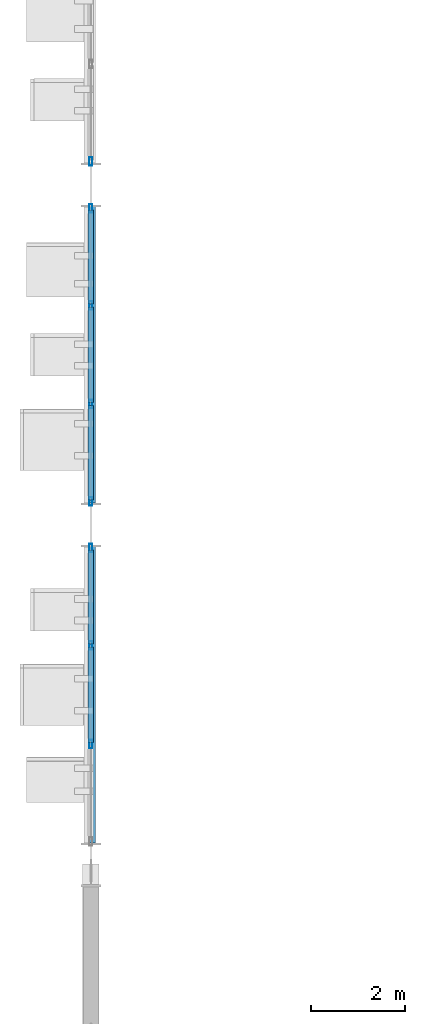
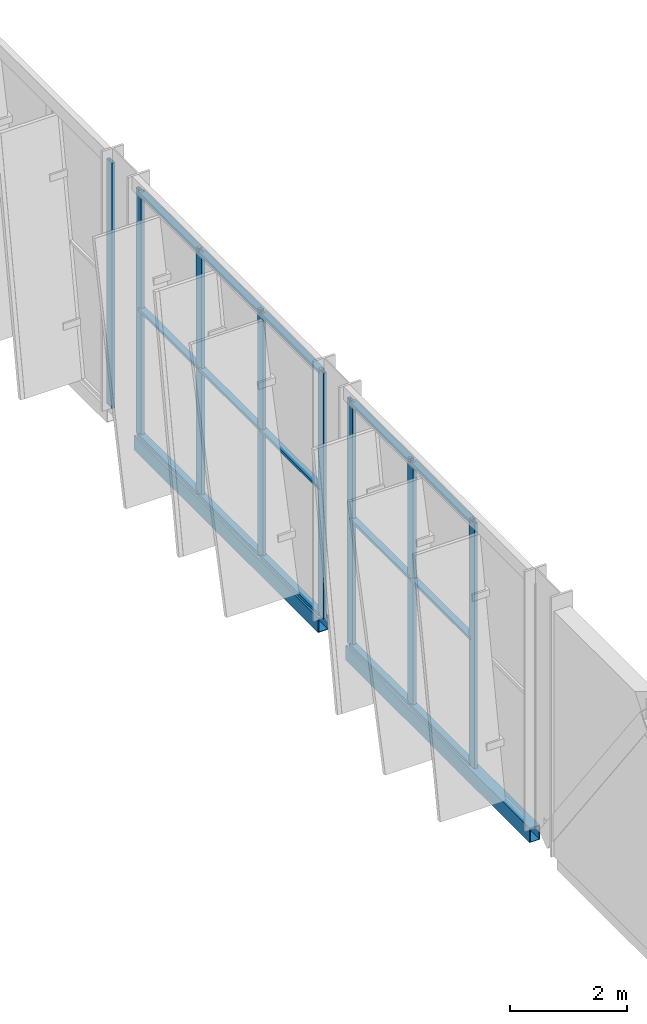
# One storey, part 22 of 189: 23 members, 2 beams, 3 elements without a shape of their own.
"""IFC4 building model written with IfcOpenShell, lengths in metres."""

from ifc_helpers import new_model, si_unit, direction, frame, origin, origin_2d, place, context, subcontext, project, spatial, hollow_rectangle, extrude, material, layer, layer_set, material_profile, profile_set, type_object, element, aggregate, save


model = new_model("IFC4")

# Units and contexts
model_context = context("Model", 3, precision=1e-05, world=origin(), true_north=direction((0.0, 1.0)))
body_context = subcontext(model_context, "Body", "Model", "MODEL_VIEW")
ifc_project = project(units=[si_unit("LENGTHUNIT", "METRE"), si_unit("AREAUNIT", "SQUARE_METRE"), si_unit("VOLUMEUNIT", "CUBIC_METRE"), si_unit("PLANEANGLEUNIT", "RADIAN"), si_unit("MASSUNIT", "GRAM", prefix="KILO")], contexts=[model_context])

# Site, building, storey
site_placement = place(None, origin())
site = spatial("IfcSite", under=ifc_project, at=site_placement, CompositionType="ELEMENT")
building_placement = place(site_placement, origin())
building = spatial("IfcBuilding", under=site, at=building_placement, Name="Celestram Park Convention Centre", CompositionType="ELEMENT")
storey_placement = place(building_placement, frame((0.0, 0.0, 5.39990234375)))
storey = spatial("IfcBuildingStorey", under=building, at=storey_placement, Name="L01", CompositionType="ELEMENT", Elevation=5.39990234375)

# Curtain wall, members
ifc_material_1 = material(Name="Anodised Aluminium Alloy 6063-T6", Category="aluminium")
ifc_layer = layer(ifc_material_1, 0.179931640625)
ifc_layer_set = layer_set([ifc_layer], Name="Anodised Aluminium Alloy 6063-T6")
curtain_wall_type = type_object("IfcCurtainWallType", Name="ARC-CW-627X510", PredefinedType="NOTDEFINED", material=ifc_layer_set)
curtain_wall_1_placement = place(storey_placement, origin())
curtain_wall_1 = element("IfcCurtainWall", 1, at=curtain_wall_1_placement, inside=storey, type_object=curtain_wall_type, Name="Unitised curtain wall CU-L01-113", PredefinedType="NOTDEFINED")
ifc_material_profile_1 = material_profile(ifc_material_1, hollow_rectangle(XDim=0.06494140625, YDim=0.179931640625, WallThickness=0.00390625, at=origin_2d()), Name="ALU65X180X4")
ifc_profile_set_1 = profile_set([ifc_material_profile_1], Name="Anodised Aluminium Alloy 6063-T6")
member_type_1 = type_object("IfcMemberType", Name="ARC-CWM-150", PredefinedType="MULLION", material=ifc_profile_set_1)
member_1_placement = place(storey_placement, frame((0.0, 31.354736328125, 0.0), z_axis=(0.0, 0.0, 1.0), x_axis=(-1.0, 0.0, 0.0)))
member_1 = element("IfcMember", 2, at=member_1_placement, type_object=member_type_1, Name="CW-62X51 mullion 2", PredefinedType="MULLION", context=body_context, shape_type="SweptSolid", body=[
    extrude(hollow_rectangle(XDim=0.06494140625, YDim=0.179931640625, WallThickness=0.00390625, at=origin_2d()), origin(), (0.0, 0.0, 1.0), 5.10009765625),
])
member_2_placement = place(storey_placement, frame((0.0, 33.4453125, 0.0), z_axis=(0.0, 0.0, 1.0), x_axis=(-1.0, 0.0, 0.0)))
member_2 = element("IfcMember", 3, at=member_2_placement, type_object=member_type_1, Name="CW-62X51 mullion 3", PredefinedType="MULLION", context=body_context, shape_type="SweptSolid", body=[
    extrude(hollow_rectangle(XDim=0.06494140625, YDim=0.179931640625, WallThickness=0.00390625, at=origin_2d()), origin(), (0.0, 0.0, 1.0), 5.10009765625),
])
member_3_placement = place(storey_placement, frame((0.0, 35.50341796875, 0.0), z_axis=(0.0, 0.0, 1.0), x_axis=(-1.0, 0.0, 0.0)))
member_3 = element("IfcMember", 4, at=member_3_placement, type_object=member_type_1, Name="CW-62X51 mullion 4", PredefinedType="MULLION", context=body_context, shape_type="SweptSolid", body=[
    extrude(hollow_rectangle(XDim=0.06494140625, YDim=0.179931640625, WallThickness=0.00390625, at=origin_2d()), origin(), (0.0, 0.0, 1.0), 5.10009765625),
])

curtain_wall_2_placement = place(storey_placement, origin())
curtain_wall_2 = element("IfcCurtainWall", 5, at=curtain_wall_2_placement, inside=storey, type_object=curtain_wall_type, Name="Unitised curtain wall CU-L01-114", PredefinedType="NOTDEFINED")
member_4_placement = place(storey_placement, frame((0.0, 36.49658203125, 0.0), z_axis=(0.0, 0.0, 1.0), x_axis=(-1.0, 0.0, 0.0)))
member_4 = element("IfcMember", 6, at=member_4_placement, type_object=member_type_1, Name="CW-62X51 mullion 1", PredefinedType="MULLION", context=body_context, shape_type="SweptSolid", body=[
    extrude(hollow_rectangle(XDim=0.06494140625, YDim=0.179931640625, WallThickness=0.00390625, at=origin_2d()), origin(), (0.0, 0.0, 1.0), 5.10009765625),
])
member_5_placement = place(storey_placement, frame((0.0, 38.5546875, 0.0), z_axis=(0.0, 0.0, 1.0), x_axis=(-1.0, 0.0, 0.0)))
member_5 = element("IfcMember", 7, at=member_5_placement, type_object=member_type_1, Name="CW-62X51 mullion 2", PredefinedType="MULLION", context=body_context, shape_type="SweptSolid", body=[
    extrude(hollow_rectangle(XDim=0.06494140625, YDim=0.179931640625, WallThickness=0.00390625, at=origin_2d()), origin(), (0.0, 0.0, 1.0), 5.10009765625),
])
member_6_placement = place(storey_placement, frame((0.0, 40.645263671875, 0.0), z_axis=(0.0, 0.0, 1.0), x_axis=(-1.0, 0.0, 0.0)))
member_6 = element("IfcMember", 8, at=member_6_placement, type_object=member_type_1, Name="CW-62X51 mullion 3", PredefinedType="MULLION", context=body_context, shape_type="SweptSolid", body=[
    extrude(hollow_rectangle(XDim=0.06494140625, YDim=0.179931640625, WallThickness=0.00390625, at=origin_2d()), origin(), (0.0, 0.0, 1.0), 5.10009765625),
])
member_7_placement = place(storey_placement, frame((0.0, 42.70361328125, 0.0), z_axis=(0.0, 0.0, 1.0), x_axis=(-1.0, 0.0, 0.0)))
member_7 = element("IfcMember", 9, at=member_7_placement, type_object=member_type_1, Name="CW-62X51 mullion 4", PredefinedType="MULLION", context=body_context, shape_type="SweptSolid", body=[
    extrude(hollow_rectangle(XDim=0.06494140625, YDim=0.179931640625, WallThickness=0.00390625, at=origin_2d()), origin(), (0.0, 0.0, 1.0), 5.10009765625),
])

# Curtain wall, member
curtain_wall_3_placement = place(storey_placement, origin())
curtain_wall_3 = element("IfcCurtainWall", 10, at=curtain_wall_3_placement, inside=storey, type_object=curtain_wall_type, Name="Unitised curtain wall CU-L01-115", PredefinedType="NOTDEFINED")
member_8_placement = place(storey_placement, frame((0.0, 43.696533203125, 0.0), z_axis=(0.0, 0.0, 1.0), x_axis=(-1.0, 0.0, 0.0)))
member_8 = element("IfcMember", 11, at=member_8_placement, type_object=member_type_1, Name="CW-62X51 mullion 1", PredefinedType="MULLION", context=body_context, shape_type="SweptSolid", body=[
    extrude(hollow_rectangle(XDim=0.06494140625, YDim=0.179931640625, WallThickness=0.00390625, at=origin_2d()), origin(), (0.0, 0.0, 1.0), 5.10009765625),
])
aggregate(curtain_wall_3, [member_8])

# Member
ifc_material_profile_2 = material_profile(ifc_material_1, hollow_rectangle(XDim=0.1201171875, YDim=0.06005859375, WallThickness=0.0029296875, at=origin_2d()), Name="ALU120X60X3")
ifc_profile_set_2 = profile_set([ifc_material_profile_2], Name="Anodised Aluminium Alloy 6063-T6")
member_type_2 = type_object("IfcMemberType", Name="ARC-CWT-120", PredefinedType="USERDEFINED", material=ifc_profile_set_2)
member_9_placement = place(storey_placement, frame((0.0, 31.38720703125, 0.030029296875), z_axis=(0.0, 1.0, 0.0), x_axis=(-1.0, 0.0, 0.0)))
member_9 = element("IfcMember", 12, at=member_9_placement, type_object=member_type_2, Name="CW-62X51 transom 2.1", ObjectType="TRANSOM", PredefinedType="USERDEFINED", context=body_context, shape_type="SweptSolid", body=[
    extrude(hollow_rectangle(XDim=0.1201171875, YDim=0.06005859375, WallThickness=0.0029296875, at=origin_2d()), origin(), (0.0, 0.0, 1.0), 2.025634765625),
])

member_10_placement = place(storey_placement, frame((0.0, 31.38720703125, 2.650146484375), z_axis=(0.0, 1.0, 0.0), x_axis=(-1.0, 0.0, 0.0)))
member_10 = element("IfcMember", 13, at=member_10_placement, type_object=member_type_2, Name="CW-62X51 transom 2.2", ObjectType="TRANSOM", PredefinedType="USERDEFINED", context=body_context, shape_type="SweptSolid", body=[
    extrude(hollow_rectangle(XDim=0.1201171875, YDim=0.06005859375, WallThickness=0.0029296875, at=origin_2d()), origin(), (0.0, 0.0, 1.0), 2.025634765625),
])

member_11_placement = place(storey_placement, frame((0.0, 31.38720703125, 5.070068359375), z_axis=(0.0, 1.0, 0.0), x_axis=(-1.0, 0.0, 0.0)))
member_11 = element("IfcMember", 14, at=member_11_placement, type_object=member_type_2, Name="CW-62X51 transom 2.3", ObjectType="TRANSOM", PredefinedType="USERDEFINED", context=body_context, shape_type="SweptSolid", body=[
    extrude(hollow_rectangle(XDim=0.1201171875, YDim=0.06005859375, WallThickness=0.0029296875, at=origin_2d()), origin(), (0.0, 0.0, 1.0), 2.025634765625),
])

member_12_placement = place(storey_placement, frame((0.0, 33.477783203125, 0.030029296875), z_axis=(0.0, 1.0, 0.0), x_axis=(-1.0, 0.0, 0.0)))
member_12 = element("IfcMember", 15, at=member_12_placement, type_object=member_type_2, Name="CW-62X51 transom 3.1", ObjectType="TRANSOM", PredefinedType="USERDEFINED", context=body_context, shape_type="SweptSolid", body=[
    extrude(hollow_rectangle(XDim=0.1201171875, YDim=0.06005859375, WallThickness=0.0029296875, at=origin_2d()), origin(), (0.0, 0.0, 1.0), 1.9931640625),
])

member_13_placement = place(storey_placement, frame((0.0, 33.477783203125, 2.650146484375), z_axis=(0.0, 1.0, 0.0), x_axis=(-1.0, 0.0, 0.0)))
member_13 = element("IfcMember", 16, at=member_13_placement, type_object=member_type_2, Name="CW-62X51 transom 3.2", ObjectType="TRANSOM", PredefinedType="USERDEFINED", context=body_context, shape_type="SweptSolid", body=[
    extrude(hollow_rectangle(XDim=0.1201171875, YDim=0.06005859375, WallThickness=0.0029296875, at=origin_2d()), origin(), (0.0, 0.0, 1.0), 1.9931640625),
])

member_14_placement = place(storey_placement, frame((0.0, 33.477783203125, 5.070068359375), z_axis=(0.0, 1.0, 0.0), x_axis=(-1.0, 0.0, 0.0)))
member_14 = element("IfcMember", 17, at=member_14_placement, type_object=member_type_2, Name="CW-62X51 transom 3.3", ObjectType="TRANSOM", PredefinedType="USERDEFINED", context=body_context, shape_type="SweptSolid", body=[
    extrude(hollow_rectangle(XDim=0.1201171875, YDim=0.06005859375, WallThickness=0.0029296875, at=origin_2d()), origin(), (0.0, 0.0, 1.0), 1.9931640625),
])

aggregate(curtain_wall_1, [member_1, member_2, member_3, member_9, member_10, member_11, member_12, member_13, member_14])

member_15_placement = place(storey_placement, frame((0.0, 36.529052734375, 0.030029296875), z_axis=(0.0, 1.0, 0.0), x_axis=(-1.0, 0.0, 0.0)))
member_15 = element("IfcMember", 18, at=member_15_placement, type_object=member_type_2, Name="CW-62X51 transom 1.1", ObjectType="TRANSOM", PredefinedType="USERDEFINED", context=body_context, shape_type="SweptSolid", body=[
    extrude(hollow_rectangle(XDim=0.1201171875, YDim=0.06005859375, WallThickness=0.0029296875, at=origin_2d()), origin(), (0.0, 0.0, 1.0), 1.9931640625),
])

member_16_placement = place(storey_placement, frame((0.0, 36.529052734375, 2.650146484375), z_axis=(0.0, 1.0, 0.0), x_axis=(-1.0, 0.0, 0.0)))
member_16 = element("IfcMember", 19, at=member_16_placement, type_object=member_type_2, Name="CW-62X51 transom 1.2", ObjectType="TRANSOM", PredefinedType="USERDEFINED", context=body_context, shape_type="SweptSolid", body=[
    extrude(hollow_rectangle(XDim=0.1201171875, YDim=0.06005859375, WallThickness=0.0029296875, at=origin_2d()), origin(), (0.0, 0.0, 1.0), 1.9931640625),
])

member_17_placement = place(storey_placement, frame((0.0, 36.529052734375, 5.070068359375), z_axis=(0.0, 1.0, 0.0), x_axis=(-1.0, 0.0, 0.0)))
member_17 = element("IfcMember", 20, at=member_17_placement, type_object=member_type_2, Name="CW-62X51 transom 1.3", ObjectType="TRANSOM", PredefinedType="USERDEFINED", context=body_context, shape_type="SweptSolid", body=[
    extrude(hollow_rectangle(XDim=0.1201171875, YDim=0.06005859375, WallThickness=0.0029296875, at=origin_2d()), origin(), (0.0, 0.0, 1.0), 1.9931640625),
])

member_18_placement = place(storey_placement, frame((0.0, 38.587158203125, 0.030029296875), z_axis=(0.0, 1.0, 0.0), x_axis=(-1.0, 0.0, 0.0)))
member_18 = element("IfcMember", 21, at=member_18_placement, type_object=member_type_2, Name="CW-62X51 transom 2.1", ObjectType="TRANSOM", PredefinedType="USERDEFINED", context=body_context, shape_type="SweptSolid", body=[
    extrude(hollow_rectangle(XDim=0.1201171875, YDim=0.06005859375, WallThickness=0.0029296875, at=origin_2d()), origin(), (0.0, 0.0, 1.0), 2.025634765625),
])

member_19_placement = place(storey_placement, frame((0.0, 38.587158203125, 2.650146484375), z_axis=(0.0, 1.0, 0.0), x_axis=(-1.0, 0.0, 0.0)))
member_19 = element("IfcMember", 22, at=member_19_placement, type_object=member_type_2, Name="CW-62X51 transom 2.2", ObjectType="TRANSOM", PredefinedType="USERDEFINED", context=body_context, shape_type="SweptSolid", body=[
    extrude(hollow_rectangle(XDim=0.1201171875, YDim=0.06005859375, WallThickness=0.0029296875, at=origin_2d()), origin(), (0.0, 0.0, 1.0), 2.025634765625),
])

member_20_placement = place(storey_placement, frame((0.0, 38.587158203125, 5.070068359375), z_axis=(0.0, 1.0, 0.0), x_axis=(-1.0, 0.0, 0.0)))
member_20 = element("IfcMember", 23, at=member_20_placement, type_object=member_type_2, Name="CW-62X51 transom 2.3", ObjectType="TRANSOM", PredefinedType="USERDEFINED", context=body_context, shape_type="SweptSolid", body=[
    extrude(hollow_rectangle(XDim=0.1201171875, YDim=0.06005859375, WallThickness=0.0029296875, at=origin_2d()), origin(), (0.0, 0.0, 1.0), 2.025634765625),
])

member_21_placement = place(storey_placement, frame((0.0, 40.677734375, 0.030029296875), z_axis=(0.0, 1.0, 0.0), x_axis=(-1.0, 0.0, 0.0)))
member_21 = element("IfcMember", 24, at=member_21_placement, type_object=member_type_2, Name="CW-62X51 transom 3.1", ObjectType="TRANSOM", PredefinedType="USERDEFINED", context=body_context, shape_type="SweptSolid", body=[
    extrude(hollow_rectangle(XDim=0.1201171875, YDim=0.06005859375, WallThickness=0.0029296875, at=origin_2d()), origin(), (0.0, 0.0, 1.0), 1.9931640625),
])

member_22_placement = place(storey_placement, frame((0.0, 40.677734375, 2.650146484375), z_axis=(0.0, 1.0, 0.0), x_axis=(-1.0, 0.0, 0.0)))
member_22 = element("IfcMember", 25, at=member_22_placement, type_object=member_type_2, Name="CW-62X51 transom 3.2", ObjectType="TRANSOM", PredefinedType="USERDEFINED", context=body_context, shape_type="SweptSolid", body=[
    extrude(hollow_rectangle(XDim=0.1201171875, YDim=0.06005859375, WallThickness=0.0029296875, at=origin_2d()), origin(), (0.0, 0.0, 1.0), 1.9931640625),
])

member_23_placement = place(storey_placement, frame((0.0, 40.677734375, 5.070068359375), z_axis=(0.0, 1.0, 0.0), x_axis=(-1.0, 0.0, 0.0)))
member_23 = element("IfcMember", 26, at=member_23_placement, type_object=member_type_2, Name="CW-62X51 transom 3.3", ObjectType="TRANSOM", PredefinedType="USERDEFINED", context=body_context, shape_type="SweptSolid", body=[
    extrude(hollow_rectangle(XDim=0.1201171875, YDim=0.06005859375, WallThickness=0.0029296875, at=origin_2d()), origin(), (0.0, 0.0, 1.0), 1.9931640625),
])

aggregate(curtain_wall_2, [member_4, member_5, member_6, member_7, member_15, member_16, member_17, member_18, member_19, member_20, member_21, member_22, member_23])

# Beams
ifc_material_2 = material(Name="Steel ASTM A500 Grade C", Category="steel")
ifc_material_profile_3 = material_profile(ifc_material_2, hollow_rectangle(XDim=0.199951171875, YDim=0.300048828125, WallThickness=0.011962890625, at=origin_2d()), Name="HSS300X200X12")
ifc_profile_set_3 = profile_set([ifc_material_profile_3], Name="Steel ASTM A500 Grade C")
beam_type = type_object("IfcBeamType", Name="STR-SPN-HSS300X200", PredefinedType="SPANDREL", material=ifc_profile_set_3)
for number, where, z_axis, x_axis, name in (
    (27, (0.0, 29.263916015625, -0.14990234375), (0.0, 1.0, 0.0), (-1.0, 0.0, 0.0), "High-bay perimeter spandrel SPB-L01-002"),
    (28, (0.0, 36.464111328125, -0.14990234375), (0.0, 1.0, 0.0), (-1.0, 0.0, 0.0), "High-bay perimeter spandrel SPB-L01-003"),
):
    element("IfcBeam", number, at=place(storey_placement, frame(where, z_axis=z_axis, x_axis=x_axis)), inside=storey, type_object=beam_type, Name=name, PredefinedType="SPANDREL", context=body_context, shape_type="SweptSolid", body=[
        extrude(hollow_rectangle(XDim=0.199951171875, YDim=0.300048828125, WallThickness=0.011962890625, at=origin_2d()), origin(), (0.0, 0.0, 1.0), 6.27197265625),
    ])

save(model, "model.ifc")
